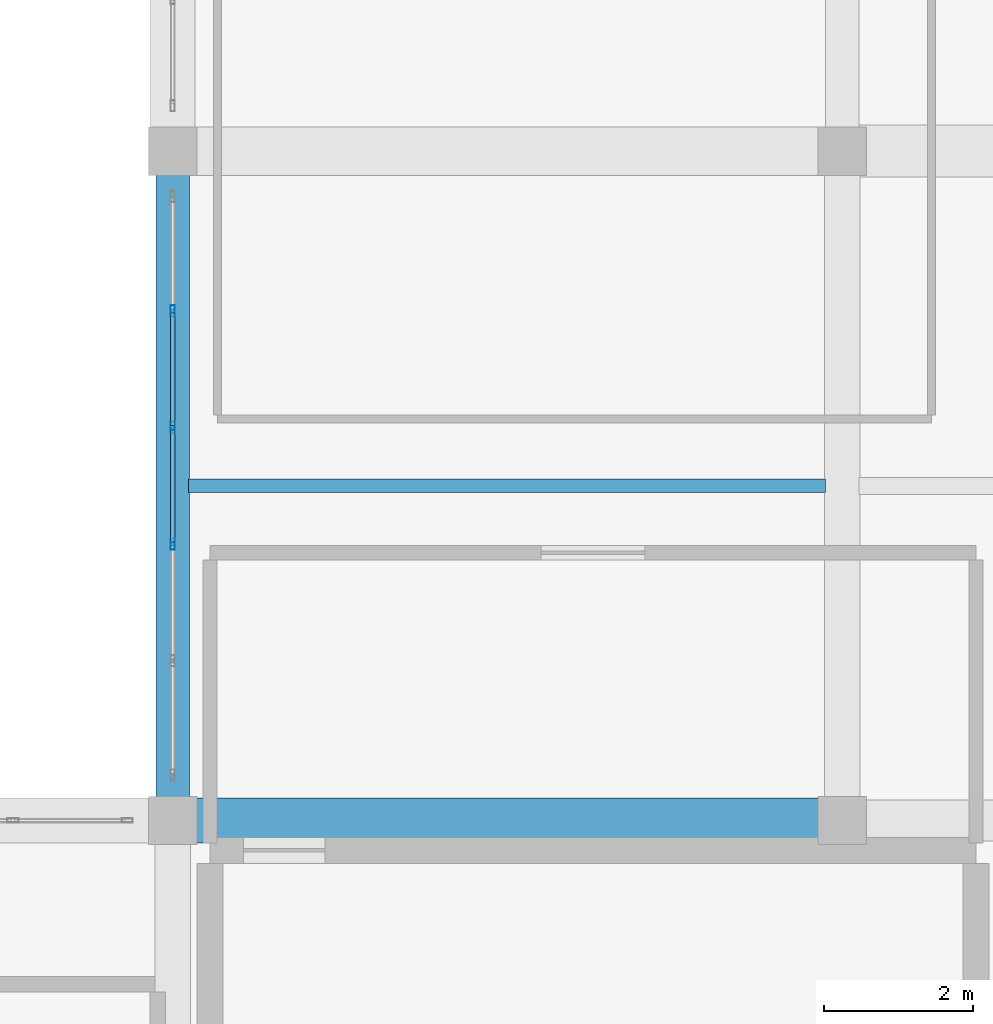
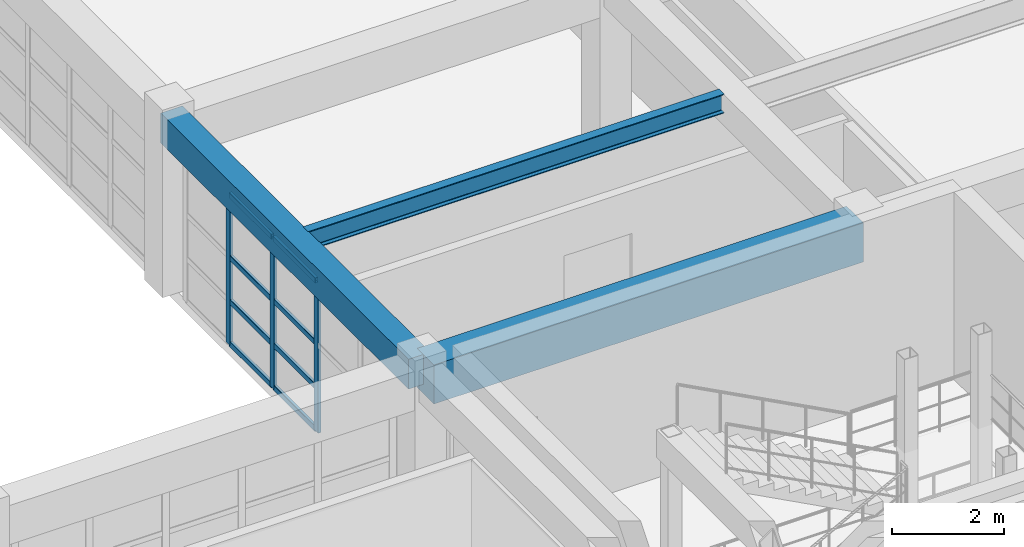
# One storey, part 26 of 130: 11 members, 3 beams, 1 element without a shape of its own.
"""IFC4 building model written with IfcOpenShell, lengths in metres."""

from ifc_helpers import new_model, si_unit, direction, frame, origin, origin_2d, place, context, subcontext, project, spatial, rectangle, hollow_rectangle, i_section, extrude, material, material_profile, profile_set, type_object, element, aggregate, save


model = new_model("IFC4")

# Units and contexts
model_context = context("Model", 3, precision=1e-05, world=origin(), true_north=direction((0.0, 1.0)))
body_context = subcontext(model_context, "Body", "Model", "MODEL_VIEW")
ifc_project = project(units=[si_unit("LENGTHUNIT", "METRE"), si_unit("AREAUNIT", "SQUARE_METRE"), si_unit("VOLUMEUNIT", "CUBIC_METRE"), si_unit("PLANEANGLEUNIT", "RADIAN"), si_unit("MASSUNIT", "GRAM", prefix="KILO")], contexts=[model_context])

# Site, building, storey
site_placement = place(None, origin())
site = spatial("IfcSite", under=ifc_project, at=site_placement, CompositionType="ELEMENT")
building_placement = place(site_placement, origin())
building = spatial("IfcBuilding", under=site, at=building_placement, Name="Miravela Opera House", CompositionType="ELEMENT")
storey_placement = place(building_placement, frame((0.0, 0.0, 9.52001953125)))
storey = spatial("IfcBuildingStorey", under=building, at=storey_placement, Name="L02", CompositionType="ELEMENT", Elevation=9.52001953125)

# Curtain wall, members
ifc_material_1 = material(Name="Anodised architectural bronze aluminium 6063-T6", Category="aluminium")
curtain_wall_type = type_object("IfcCurtainWallType", Name="ARC-CW-06", PredefinedType="NOTDEFINED", material=ifc_material_1)
curtain_wall_placement = place(storey_placement, origin())
curtain_wall = element("IfcCurtainWall", 1, at=curtain_wall_placement, inside=storey, type_object=curtain_wall_type, Name="Courtyard Arcade Curtain Wall CW-L02-146", PredefinedType="NOTDEFINED")
ifc_material_profile_1 = material_profile(ifc_material_1, hollow_rectangle(XDim=0.06005859375, YDim=0.14990234375, WallThickness=0.00390625, InnerFilletRadius=0.001953125, OuterFilletRadius=0.00390625, at=origin_2d()), Name="CWM-60X150")
ifc_profile_set_1 = profile_set([ifc_material_profile_1])
member_type_1 = type_object("IfcMemberType", Name="ARC-CWM-150", PredefinedType="MULLION", material=ifc_profile_set_1)
member_1_placement = place(storey_placement, frame((63.0, 12.716064453125, 0.0), z_axis=(0.0, 0.0, 1.0), x_axis=(-1.0, 0.0, 0.0)))
member_1 = element("IfcMember", 2, at=member_1_placement, type_object=member_type_1, Name="CW-06 mullion 3", PredefinedType="MULLION", context=body_context, shape_type="SweptSolid", body=[
    extrude(hollow_rectangle(XDim=0.06005859375, YDim=0.14990234375, WallThickness=0.00390625, InnerFilletRadius=0.001953125, OuterFilletRadius=0.00390625, at=origin_2d()), origin(), (0.0, 0.0, 1.0), 3.2900390625),
])
member_2_placement = place(storey_placement, frame((63.0, 14.283935546875, 0.0), z_axis=(0.0, 0.0, 1.0), x_axis=(-1.0, 0.0, 0.0)))
member_2 = element("IfcMember", 3, at=member_2_placement, type_object=member_type_1, Name="CW-06 mullion 4", PredefinedType="MULLION", context=body_context, shape_type="SweptSolid", body=[
    extrude(hollow_rectangle(XDim=0.06005859375, YDim=0.14990234375, WallThickness=0.00390625, InnerFilletRadius=0.001953125, OuterFilletRadius=0.00390625, at=origin_2d()), origin(), (0.0, 0.0, 1.0), 3.2900390625),
])
member_3_placement = place(storey_placement, frame((63.0, 15.85205078125, 0.0), z_axis=(0.0, 0.0, 1.0), x_axis=(-1.0, 0.0, 0.0)))
member_3 = element("IfcMember", 4, at=member_3_placement, type_object=member_type_1, Name="CW-06 mullion 5", PredefinedType="MULLION", context=body_context, shape_type="SweptSolid", body=[
    extrude(hollow_rectangle(XDim=0.06005859375, YDim=0.14990234375, WallThickness=0.00390625, InnerFilletRadius=0.001953125, OuterFilletRadius=0.00390625, at=origin_2d()), origin(), (0.0, 0.0, 1.0), 3.2900390625),
])
ifc_material_profile_2 = material_profile(ifc_material_1, hollow_rectangle(XDim=0.06005859375, YDim=0.114990234375, WallThickness=0.00390625, InnerFilletRadius=0.001953125, OuterFilletRadius=0.00390625, at=origin_2d()), Name="CWT-60X115")
ifc_profile_set_2 = profile_set([ifc_material_profile_2])
member_type_2 = type_object("IfcMemberType", Name="ARC-CWT-115", PredefinedType="USERDEFINED", material=ifc_profile_set_2)
member_4_placement = place(storey_placement, frame((63.0, 12.74609375, 0.030029296875), z_axis=(0.0, 1.0, 0.0), x_axis=(-1.0, 0.0, 0.0)))
member_4 = element("IfcMember", 5, at=member_4_placement, type_object=member_type_2, Name="CW-06 transom 3.1", ObjectType="TRANSOM", PredefinedType="USERDEFINED", context=body_context, shape_type="SweptSolid", body=[
    extrude(hollow_rectangle(XDim=0.06005859375, YDim=0.114990234375, WallThickness=0.00390625, InnerFilletRadius=0.001953125, OuterFilletRadius=0.00390625, at=origin_2d()), origin(), (0.0, 0.0, 1.0), 1.5078125),
])
member_5_placement = place(storey_placement, frame((63.0, 12.74609375, 0.949951171875), z_axis=(0.0, 1.0, 0.0), x_axis=(-1.0, 0.0, 0.0)))
member_5 = element("IfcMember", 6, at=member_5_placement, type_object=member_type_2, Name="CW-06 transom 3.2", ObjectType="TRANSOM", PredefinedType="USERDEFINED", context=body_context, shape_type="SweptSolid", body=[
    extrude(hollow_rectangle(XDim=0.06005859375, YDim=0.114990234375, WallThickness=0.00390625, InnerFilletRadius=0.001953125, OuterFilletRadius=0.00390625, at=origin_2d()), origin(), (0.0, 0.0, 1.0), 1.5078125),
])
member_6_placement = place(storey_placement, frame((63.0, 12.74609375, 1.908203125), z_axis=(0.0, 1.0, 0.0), x_axis=(-1.0, 0.0, 0.0)))
member_6 = element("IfcMember", 7, at=member_6_placement, type_object=member_type_2, Name="CW-06 transom 3.3", ObjectType="TRANSOM", PredefinedType="USERDEFINED", context=body_context, shape_type="SweptSolid", body=[
    extrude(hollow_rectangle(XDim=0.06005859375, YDim=0.114990234375, WallThickness=0.00390625, InnerFilletRadius=0.001953125, OuterFilletRadius=0.00390625, at=origin_2d()), origin(), (0.0, 0.0, 1.0), 1.5078125),
])
member_7_placement = place(storey_placement, frame((63.0, 12.74609375, 3.260009765625), z_axis=(0.0, 1.0, 0.0), x_axis=(-1.0, 0.0, 0.0)))
member_7 = element("IfcMember", 8, at=member_7_placement, type_object=member_type_2, Name="CW-06 transom 3.4", ObjectType="TRANSOM", PredefinedType="USERDEFINED", context=body_context, shape_type="SweptSolid", body=[
    extrude(hollow_rectangle(XDim=0.06005859375, YDim=0.114990234375, WallThickness=0.00390625, InnerFilletRadius=0.001953125, OuterFilletRadius=0.00390625, at=origin_2d()), origin(), (0.0, 0.0, 1.0), 1.5078125),
])
member_8_placement = place(storey_placement, frame((63.0, 14.31396484375, 0.030029296875), z_axis=(0.0, 1.0, 0.0), x_axis=(-1.0, 0.0, 0.0)))
member_8 = element("IfcMember", 9, at=member_8_placement, type_object=member_type_2, Name="CW-06 transom 4.1", ObjectType="TRANSOM", PredefinedType="USERDEFINED", context=body_context, shape_type="SweptSolid", body=[
    extrude(hollow_rectangle(XDim=0.06005859375, YDim=0.114990234375, WallThickness=0.00390625, InnerFilletRadius=0.001953125, OuterFilletRadius=0.00390625, at=origin_2d()), origin(), (0.0, 0.0, 1.0), 1.508056640625),
])
member_9_placement = place(storey_placement, frame((63.0, 14.31396484375, 0.949951171875), z_axis=(0.0, 1.0, 0.0), x_axis=(-1.0, 0.0, 0.0)))
member_9 = element("IfcMember", 10, at=member_9_placement, type_object=member_type_2, Name="CW-06 transom 4.2", ObjectType="TRANSOM", PredefinedType="USERDEFINED", context=body_context, shape_type="SweptSolid", body=[
    extrude(hollow_rectangle(XDim=0.06005859375, YDim=0.114990234375, WallThickness=0.00390625, InnerFilletRadius=0.001953125, OuterFilletRadius=0.00390625, at=origin_2d()), origin(), (0.0, 0.0, 1.0), 1.508056640625),
])
member_10_placement = place(storey_placement, frame((63.0, 14.31396484375, 1.908203125), z_axis=(0.0, 1.0, 0.0), x_axis=(-1.0, 0.0, 0.0)))
member_10 = element("IfcMember", 11, at=member_10_placement, type_object=member_type_2, Name="CW-06 transom 4.3", ObjectType="TRANSOM", PredefinedType="USERDEFINED", context=body_context, shape_type="SweptSolid", body=[
    extrude(hollow_rectangle(XDim=0.06005859375, YDim=0.114990234375, WallThickness=0.00390625, InnerFilletRadius=0.001953125, OuterFilletRadius=0.00390625, at=origin_2d()), origin(), (0.0, 0.0, 1.0), 1.508056640625),
])
member_11_placement = place(storey_placement, frame((63.0, 14.31396484375, 3.260009765625), z_axis=(0.0, 1.0, 0.0), x_axis=(-1.0, 0.0, 0.0)))
member_11 = element("IfcMember", 12, at=member_11_placement, type_object=member_type_2, Name="CW-06 transom 4.4", ObjectType="TRANSOM", PredefinedType="USERDEFINED", context=body_context, shape_type="SweptSolid", body=[
    extrude(hollow_rectangle(XDim=0.06005859375, YDim=0.114990234375, WallThickness=0.00390625, InnerFilletRadius=0.001953125, OuterFilletRadius=0.00390625, at=origin_2d()), origin(), (0.0, 0.0, 1.0), 1.508056640625),
])
aggregate(curtain_wall, [member_1, member_2, member_3, member_4, member_5, member_6, member_7, member_8, member_9, member_10, member_11])

# Beams
ifc_material_2 = material(Name="Concrete C35/45", Category="concrete")
ifc_material_profile_3 = material_profile(ifc_material_2, rectangle(XDim=0.449951171875, YDim=0.64990234375, at=origin_2d()), Name="RC-BM-450X650")
ifc_profile_set_3 = profile_set([ifc_material_profile_3])
beam_type_1 = type_object("IfcBeamType", Name="STR-BM-RC450X650", PredefinedType="BEAM", material=ifc_profile_set_3)
beam_1_placement = place(storey_placement, frame((63.0, 9.080078125, 3.514892578125), z_axis=(0.0, 1.0, 0.0), x_axis=(-1.0, 0.0, 0.0)))
element("IfcBeam", 13, at=beam_1_placement, inside=storey, type_object=beam_type_1, Name="Floor Girder L02 8/B-C", PredefinedType="BEAM", context=body_context, shape_type="SweptSolid", body=[
    extrude(rectangle(XDim=0.449951171875, YDim=0.64990234375, at=origin_2d()), origin(), (0.0, 0.0, 1.0), 8.83984375),
])
ifc_material_3 = material(Name="Concrete C40/50", Category="concrete")
ifc_material_profile_4 = material_profile(ifc_material_3, rectangle(XDim=0.60009765625, YDim=0.85009765625, at=origin_2d()), Name="RC-BM-600X850")
ifc_profile_set_4 = profile_set([ifc_material_profile_4])
beam_type_2 = type_object("IfcBeamType", Name="STR-BM-RC600X850", PredefinedType="BEAM", material=ifc_profile_set_4)
beam_2_placement = place(storey_placement, frame((63.080078125, 9.0, 3.4150390625), z_axis=(1.0, 0.0, 0.0), x_axis=(0.0, 1.0, 0.0)))
element("IfcBeam", 14, at=beam_2_placement, inside=storey, type_object=beam_type_2, Name="Floor Girder L02 8-9/B", PredefinedType="BEAM", context=body_context, shape_type="SweptSolid", body=[
    extrude(rectangle(XDim=0.60009765625, YDim=0.85009765625, at=origin_2d()), origin(), (0.0, 0.0, 1.0), 8.83984375),
])
ifc_material_4 = material(Name="Structural steel ASTM A992 Gr. 50", Category="steel")
ifc_material_profile_5 = material_profile(ifc_material_4, i_section(OverallWidth=0.180908203125, OverallDepth=0.4169921875, WebThickness=0.010986328125, FlangeThickness=0.018310546875, FilletRadius=0.013916015625, at=origin_2d()), Name="W410X85")
ifc_profile_set_5 = profile_set([ifc_material_profile_5])
beam_type_3 = type_object("IfcBeamType", Name="STR-BM-W410X85", PredefinedType="JOIST", material=ifc_profile_set_5)
beam_3_placement = place(storey_placement, frame((63.2099609375, 13.5, 3.631591796875), z_axis=(1.0, 0.0, 0.0), x_axis=(0.0, 1.0, 0.0)))
element("IfcBeam", 15, at=beam_3_placement, inside=storey, type_object=beam_type_3, Name="Secondary Floor Joist L02 8-9/B-C", PredefinedType="JOIST", context=body_context, shape_type="SweptSolid", body=[
    extrude(i_section(OverallWidth=0.180908203125, OverallDepth=0.4169921875, WebThickness=0.010986328125, FlangeThickness=0.018310546875, FilletRadius=0.013916015625, at=origin_2d()), origin(), (0.0, 0.0, 1.0), 8.56494140625),
])

save(model, "model.ifc")
